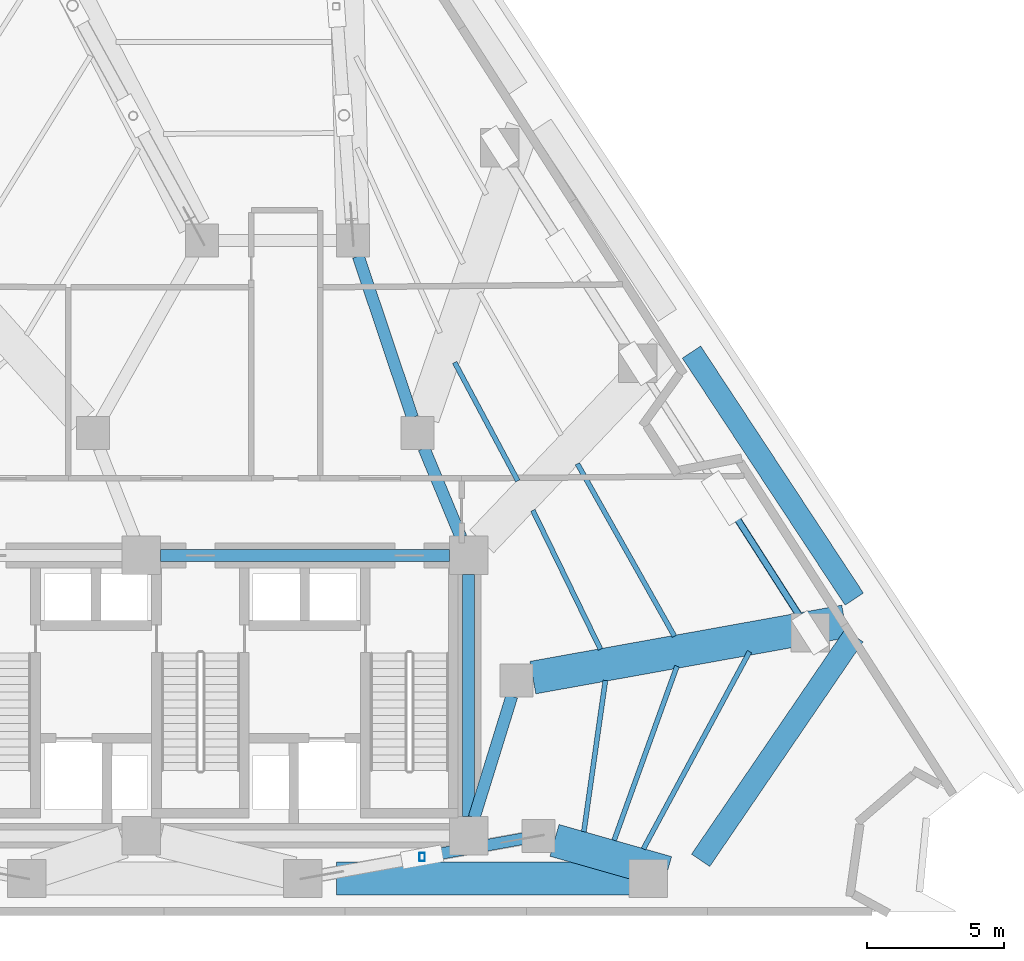
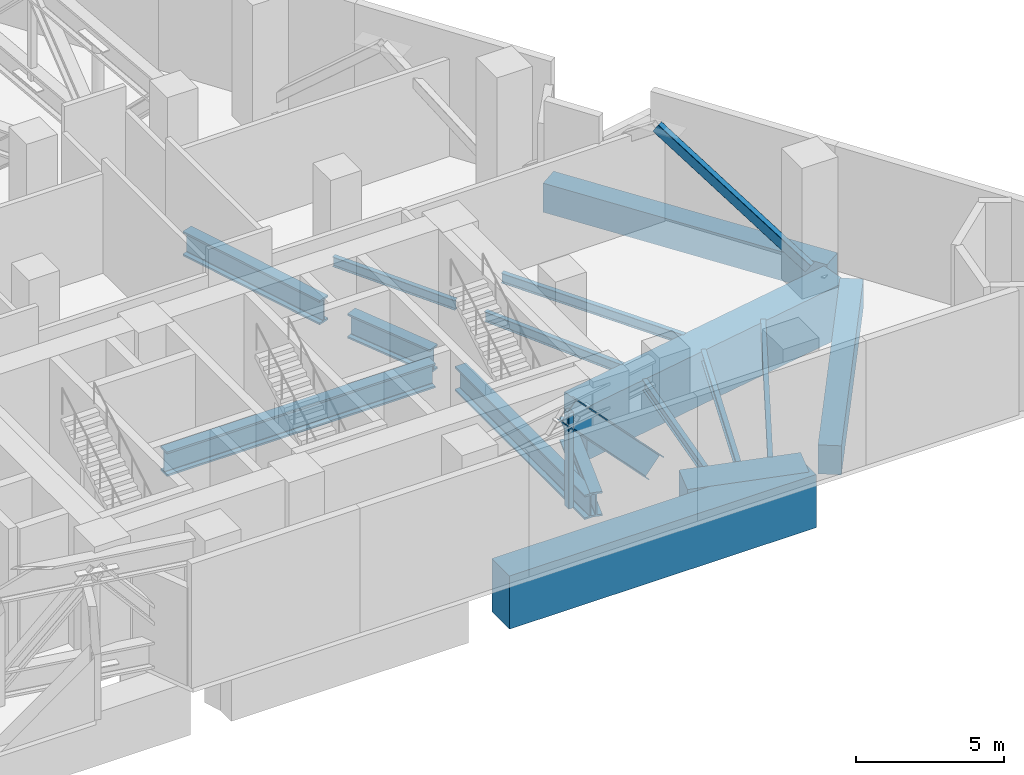
# One storey, part 4 of 12: 16 beams, 3 members.
"""IFC4 building model written with IfcOpenShell, lengths in metres."""

from ifc_helpers import new_model, si_unit, direction, frame, origin, origin_2d, place, context, subcontext, project, spatial, rectangle, hollow_rectangle, i_section, extrude, material, material_profile, profile_set, type_object, element, save


model = new_model("IFC4")

# Units and contexts
model_context = context("Model", 3, precision=1e-05, world=origin(), true_north=direction((0.0, 1.0)))
body_context = subcontext(model_context, "Body", "Model", "MODEL_VIEW")
ifc_project = project(units=[si_unit("LENGTHUNIT", "METRE"), si_unit("AREAUNIT", "SQUARE_METRE"), si_unit("VOLUMEUNIT", "CUBIC_METRE"), si_unit("PLANEANGLEUNIT", "RADIAN"), si_unit("MASSUNIT", "GRAM", prefix="KILO")], contexts=[model_context])

# Site, building, storey
site_placement = place(None, origin())
site = spatial("IfcSite", under=ifc_project, at=site_placement, CompositionType="ELEMENT")
building_placement = place(site_placement, origin())
building = spatial("IfcBuilding", under=site, at=building_placement, Name="Almagre Mirador Tower", CompositionType="ELEMENT")
storey_placement = place(building_placement, frame((0.0, 0.0, 26.39990234375)))
storey = spatial("IfcBuildingStorey", under=building, at=storey_placement, Name="L05", CompositionType="ELEMENT", Elevation=26.39990234375)

# Beams
ifc_material_1 = material(Name="Steel ASTM A992 Grade 50", Category="steel")
ifc_material_profile_1 = material_profile(ifc_material_1, i_section(OverallWidth=0.178955078125, OverallDepth=0.408935546875, WebThickness=0.0087890625, FlangeThickness=0.014404296875, FilletRadius=0.013916015625, at=origin_2d()), Name="W16X45")
ifc_profile_set_1 = profile_set([ifc_material_profile_1], Name="Steel ASTM A992 Grade 50")
beam_type_1 = type_object("IfcBeamType", Name="BM-JST-W16X45", PredefinedType="JOIST", material=ifc_profile_set_1)
beam_1_placement = place(storey_placement, frame((53.40869140625, 4.07421875, -0.50439453125), z_axis=(0.473974753874, 0.880538433398, 0.0), x_axis=(-0.880538433398, 0.473974753874, 0.0)))
element("IfcBeam", 1, at=beam_1_placement, inside=storey, type_object=beam_type_1, Name="L05 secondary floor joist PC04-PC05.1", PredefinedType="JOIST", context=body_context, shape_type="SweptSolid", body=[
    extrude(i_section(OverallWidth=0.178955078125, OverallDepth=0.408935546875, WebThickness=0.0087890625, FlangeThickness=0.014404296875, FilletRadius=0.013916015625, at=origin_2d()), origin(), (0.0, 0.0, 1.0), 8.148681640625),
])
beam_2_placement = place(storey_placement, frame((52.345458984375, 4.39013671875, -0.50439453125), z_axis=(0.339360176716, 0.940656510348, 0.0), x_axis=(-0.940656510348, 0.339360176716, 0.0)))
element("IfcBeam", 2, at=beam_2_placement, inside=storey, type_object=beam_type_1, Name="L05 secondary floor joist PC04-PC05.2", PredefinedType="JOIST", context=body_context, shape_type="SweptSolid", body=[
    extrude(i_section(OverallWidth=0.178955078125, OverallDepth=0.408935546875, WebThickness=0.0087890625, FlangeThickness=0.014404296875, FilletRadius=0.013916015625, at=origin_2d()), origin(), (0.0, 0.0, 1.0), 6.732177734375),
])
beam_3_placement = place(storey_placement, frame((51.243896484375, 4.69970703125, -0.50439453125), z_axis=(0.140984772815, 0.990011764493, 0.0), x_axis=(-0.990011764493, 0.140984772815, 0.0)))
element("IfcBeam", 3, at=beam_3_placement, inside=storey, type_object=beam_type_1, Name="L05 secondary floor joist PC04-PC05.3", PredefinedType="JOIST", context=body_context, shape_type="SweptSolid", body=[
    extrude(i_section(OverallWidth=0.178955078125, OverallDepth=0.408935546875, WebThickness=0.0087890625, FlangeThickness=0.014404296875, FilletRadius=0.013916015625, at=origin_2d()), origin(), (0.0, 0.0, 1.0), 5.55859375),
])
beam_4_placement = place(storey_placement, frame((54.53955078125, 11.810302734375, -0.50439453125), z_axis=(-0.49032244491, 0.871541106327, 0.0), x_axis=(-0.871541106327, -0.49032244491, 0.0)))
element("IfcBeam", 4, at=beam_4_placement, inside=storey, type_object=beam_type_1, Name="L05 secondary floor joist PC05-PC06.2", PredefinedType="JOIST", context=body_context, shape_type="SweptSolid", body=[
    extrude(i_section(OverallWidth=0.178955078125, OverallDepth=0.408935546875, WebThickness=0.0087890625, FlangeThickness=0.014404296875, FilletRadius=0.013916015625, at=origin_2d()), origin(), (0.0, 0.0, 1.0), 7.196533203125),
])
beam_5_placement = place(storey_placement, frame((51.849365234375, 11.336181640625, -0.50439453125), z_axis=(-0.437846162275, 0.899049908615, 0.0), x_axis=(-0.899049908615, -0.437846162275, 0.0)))
element("IfcBeam", 5, at=beam_5_placement, inside=storey, type_object=beam_type_1, Name="L05 secondary floor joist PC05-PC06.3", PredefinedType="JOIST", context=body_context, shape_type="SweptSolid", body=[
    extrude(i_section(OverallWidth=0.178955078125, OverallDepth=0.408935546875, WebThickness=0.0087890625, FlangeThickness=0.014404296875, FilletRadius=0.013916015625, at=origin_2d()), origin(), (0.0, 0.0, 1.0), 5.623291015625),
])
beam_6_placement = place(storey_placement, frame((48.84228515625, 17.460693359375, -0.50439453125), z_axis=(-0.470289676789, 0.882512107512, 0.0), x_axis=(-0.882512107512, -0.470289676789, 0.0)))
element("IfcBeam", 6, at=beam_6_placement, inside=storey, type_object=beam_type_1, Name="L05 secondary floor joist PC06-PC07.3", PredefinedType="JOIST", context=body_context, shape_type="SweptSolid", body=[
    extrude(i_section(OverallWidth=0.178955078125, OverallDepth=0.408935546875, WebThickness=0.0087890625, FlangeThickness=0.014404296875, FilletRadius=0.013916015625, at=origin_2d()), origin(), (0.0, 0.0, 1.0), 4.88134765625),
])
ifc_material_2 = material(Name="Precast concrete C50/60", Category="concrete")
ifc_material_profile_2 = material_profile(ifc_material_2, rectangle(XDim=0.800048828125, YDim=1.199951171875, at=origin_2d()), Name="RC800X1200")
ifc_profile_set_2 = profile_set([ifc_material_profile_2], Name="Precast concrete C50/60")
beam_type_2 = type_object("IfcBeamType", Name="BM-SPN-RC800X1200", PredefinedType="SPANDREL", material=ifc_profile_set_2)
beam_7_placement = place(storey_placement, frame((55.490966796875, 3.660888671875, -0.89990234375), z_axis=(0.563695189414, 0.825982889309, 0.0), x_axis=(-0.825982889309, 0.563695189414, 0.0)))
element("IfcBeam", 7, at=beam_7_placement, inside=storey, type_object=beam_type_2, Name="L05 perimeter spandrel beam PC04-PC05", PredefinedType="SPANDREL", context=body_context, shape_type="SweptSolid", body=[
    extrude(rectangle(XDim=0.800048828125, YDim=1.199951171875, at=origin_2d()), origin(), (0.0, 0.0, 1.0), 9.891845703125),
])
beam_8_placement = place(storey_placement, frame((61.077880859375, 13.159912109375, -0.89990234375), z_axis=(-0.550204417923, 0.835029998562, 0.0), x_axis=(-0.835029998562, -0.550204417923, 0.0)))
element("IfcBeam", 8, at=beam_8_placement, inside=storey, type_object=beam_type_2, Name="L05 perimeter spandrel beam PC05-PC06", PredefinedType="SPANDREL", context=body_context, shape_type="SweptSolid", body=[
    extrude(rectangle(XDim=0.800048828125, YDim=1.199951171875, at=origin_2d()), origin(), (0.0, 0.0, 1.0), 10.759033203125),
])
ifc_material_3 = material(Name="Steel ASTM A992 Grade 50", Category="steel")
ifc_material_profile_3 = material_profile(ifc_material_3, i_section(OverallWidth=0.43701171875, OverallDepth=1.010986328125, WebThickness=0.041015625, FlangeThickness=0.073974609375, FilletRadius=0.028076171875, at=origin_2d()), Name="W36X529")
ifc_profile_set_3 = profile_set([ifc_material_profile_3], Name="Steel ASTM A992 Grade 50")
beam_type_3 = type_object("IfcBeamType", Name="BM-STL-W36X529", PredefinedType="BEAM", material=ifc_profile_set_3)
beam_9_placement = place(storey_placement, frame((35.85009765625, 14.75, -0.805419921875), z_axis=(1.0, 0.0, 0.0), x_axis=(0.0, 1.0, 0.0)))
element("IfcBeam", 9, at=beam_9_placement, inside=storey, type_object=beam_type_3, Name="L05 core tie girder CC5-CC6", PredefinedType="BEAM", context=body_context, shape_type="SweptSolid", body=[
    extrude(i_section(OverallWidth=0.43701171875, OverallDepth=1.010986328125, WebThickness=0.041015625, FlangeThickness=0.073974609375, FilletRadius=0.028076171875, at=origin_2d()), origin(), (0.0, 0.0, 1.0), 10.5),
])
beam_10_placement = place(storey_placement, frame((47.050048828125, 5.25, -0.805419921875), z_axis=(0.0, 1.0, 0.0), x_axis=(-1.0, 0.0, 0.0)))
element("IfcBeam", 10, at=beam_10_placement, inside=storey, type_object=beam_type_3, Name="L05 core tie girder CC3-CC6", PredefinedType="BEAM", context=body_context, shape_type="SweptSolid", body=[
    extrude(i_section(OverallWidth=0.43701171875, OverallDepth=1.010986328125, WebThickness=0.041015625, FlangeThickness=0.073974609375, FilletRadius=0.028076171875, at=origin_2d()), origin(), (0.0, 0.0, 1.0), 8.800048828125),
])
beam_11_placement = place(storey_placement, frame((48.62255859375, 9.626953125, -0.805419921875), z_axis=(-0.295888328273, -0.955222538046, 0.0), x_axis=(0.955222538046, -0.295888328273, 0.0)))
element("IfcBeam", 11, at=beam_11_placement, inside=storey, type_object=beam_type_3, Name="L05 core tie girder MC3-CC3", PredefinedType="BEAM", context=body_context, shape_type="SweptSolid", body=[
    extrude(i_section(OverallWidth=0.43701171875, OverallDepth=1.010986328125, WebThickness=0.041015625, FlangeThickness=0.073974609375, FilletRadius=0.028076171875, at=origin_2d()), origin(), (0.0, 0.0, 1.0), 4.61474609375),
])
beam_12_placement = place(storey_placement, frame((45.430419921875, 18.64599609375, -0.805419921875), z_axis=(0.383856635851, -0.923392702545, 0.0), x_axis=(0.923392702545, 0.383856635851, 0.0)))
element("IfcBeam", 12, at=beam_12_placement, inside=storey, type_object=beam_type_3, Name="L05 core tie girder MC5-CC6", PredefinedType="BEAM", context=body_context, shape_type="SweptSolid", body=[
    extrude(i_section(OverallWidth=0.43701171875, OverallDepth=1.010986328125, WebThickness=0.041015625, FlangeThickness=0.073974609375, FilletRadius=0.028076171875, at=origin_2d()), origin(), (0.0, 0.0, 1.0), 3.51904296875),
])
beam_13_placement = place(storey_placement, frame((43.041015625, 25.631103515625, -0.805419921875), z_axis=(0.318252395552, -0.948006019351, 0.0), x_axis=(0.948006019351, 0.318252395552, 0.0)))
element("IfcBeam", 13, at=beam_13_placement, inside=storey, type_object=beam_type_3, Name="L05 core tie girder MC6-MC5", PredefinedType="BEAM", context=body_context, shape_type="SweptSolid", body=[
    extrude(i_section(OverallWidth=0.43701171875, OverallDepth=1.010986328125, WebThickness=0.041015625, FlangeThickness=0.073974609375, FilletRadius=0.028076171875, at=origin_2d()), origin(), (0.0, 0.0, 1.0), 6.183837890625),
])
ifc_material_4 = material(Name="Concrete C60/75", Category="concrete")
ifc_material_profile_4 = material_profile(ifc_material_4, rectangle(XDim=1.199951171875, YDim=2.199951171875, at=origin_2d()), Name="RC1200X2200")
ifc_profile_set_4 = profile_set([ifc_material_profile_4], Name="Concrete C60/75")
beam_type_4 = type_object("IfcBeamType", Name="BM-XFER-RC1200X2200", PredefinedType="BEAM", material=ifc_profile_set_4)
beam_14_placement = place(storey_placement, frame((42.239990234375, 3.0, -1.39990234375), z_axis=(1.0, 0.0, 0.0), x_axis=(0.0, 1.0, 0.0)))
element("IfcBeam", 14, at=beam_14_placement, inside=storey, type_object=beam_type_4, Name="L05 perimeter spandrel beam PC03-PC04", PredefinedType="BEAM", context=body_context, shape_type="SweptSolid", body=[
    extrude(rectangle(XDim=1.199951171875, YDim=2.199951171875, at=origin_2d()), origin(), (0.0, 0.0, 1.0), 12.0),
])
beam_15_placement = place(storey_placement, frame((54.2705078125, 3.21923828125, -1.39990234375), z_axis=(-0.961729302972, 0.274001364603, 0.0), x_axis=(-0.274001364603, -0.961729302972, 0.0)))
element("IfcBeam", 15, at=beam_15_placement, inside=storey, type_object=beam_type_4, Name="L05 radial transfer girder PC04-MC2", PredefinedType="BEAM", context=body_context, shape_type="SweptSolid", body=[
    extrude(rectangle(XDim=1.199951171875, YDim=2.199951171875, at=origin_2d()), origin(), (0.0, 0.0, 1.0), 4.25634765625),
])
beam_16_placement = place(storey_placement, frame((60.730712890625, 12.35009765625, -1.39990234375), z_axis=(-0.984146362442, -0.177358217438, 0.0), x_axis=(0.177358217438, -0.984146362442, 0.0)))
element("IfcBeam", 16, at=beam_16_placement, inside=storey, type_object=beam_type_4, Name="L05 radial transfer girder PC05-MC3", PredefinedType="BEAM", context=body_context, shape_type="SweptSolid", body=[
    extrude(rectangle(XDim=1.199951171875, YDim=2.199951171875, at=origin_2d()), origin(), (0.0, 0.0, 1.0), 11.52294921875),
])

# Members
ifc_material_5 = material(Name="Steel ASTM A500 Grade C", Category="steel")
ifc_material_profile_5 = material_profile(ifc_material_5, hollow_rectangle(XDim=0.25, YDim=0.39990234375, WallThickness=0.012451171875, InnerFilletRadius=0.012451171875, OuterFilletRadius=0.02490234375, at=origin_2d()), Name="HSS400X250X12.5")
ifc_profile_set_5 = profile_set([ifc_material_profile_5], Name="Steel ASTM A500 Grade C")
member_type_1 = type_object("IfcMemberType", Name="MBR-BRC-HSS400R", PredefinedType="BRACE", material=ifc_profile_set_5)
member_1_placement = place(storey_placement, frame((59.48193359375, 11.93310546875, 0.650146484375), z_axis=(-0.446184852698, 0.696285669361, 0.562232464258), x_axis=(-0.841962699154, -0.539535738606, 0.0)))
element("IfcMember", 17, at=member_1_placement, inside=storey, type_object=member_type_1, Name="L05 perimeter belt truss brace PC05-apex", PredefinedType="BRACE", context=body_context, shape_type="SweptSolid", body=[
    extrude(hollow_rectangle(XDim=0.25, YDim=0.39990234375, WallThickness=0.012451171875, InnerFilletRadius=0.012451171875, OuterFilletRadius=0.02490234375, at=origin_2d()), origin(), (0.0, 0.0, 1.0), 7.037109375),
])
ifc_material_6 = material(Name="Steel ASTM A913 Grade 65", Category="steel")
ifc_material_profile_6 = material_profile(ifc_material_6, i_section(OverallWidth=0.423095703125, OverallDepth=0.947998046875, WebThickness=0.02392578125, FlangeThickness=0.042724609375, FilletRadius=0.028076171875, at=origin_2d()), Name="W36X302")
ifc_profile_set_6 = profile_set([ifc_material_profile_6], Name="Steel ASTM A913 Grade 65")
member_type_2 = type_object("IfcMemberType", Name="MBR-BRC-W36X302", PredefinedType="BRACE", material=ifc_profile_set_6)
member_2_placement = place(storey_placement, frame((45.361083984375, 3.783935546875, 4.606689453125), z_axis=(0.672871297489, 0.12161572367, -0.729694342017), x_axis=(-0.17785966821, 0.984055861435, 0.0)))
element("IfcMember", 18, at=member_2_placement, inside=storey, type_object=member_type_2, Name="L05 outrigger truss 2 diagonal 2", PredefinedType="BRACE", context=body_context, shape_type="SweptSolid", body=[
    extrude(i_section(OverallWidth=0.423095703125, OverallDepth=0.947998046875, WebThickness=0.02392578125, FlangeThickness=0.042724609375, FilletRadius=0.028076171875, at=origin_2d()), origin(), (0.0, 0.0, 1.0), 5.422119140625),
])
ifc_material_7 = material(Name="Steel ASTM A500 Grade C", Category="steel")
ifc_material_profile_7 = material_profile(ifc_material_7, hollow_rectangle(XDim=0.199951171875, YDim=0.300048828125, WallThickness=0.010009765625, InnerFilletRadius=0.010009765625, OuterFilletRadius=0.02001953125, at=origin_2d()), Name="HSS300X200X10")
ifc_profile_set_7 = profile_set([ifc_material_profile_7], Name="Steel ASTM A500 Grade C")
member_type_3 = type_object("IfcMemberType", Name="MBR-STR-HSS300", PredefinedType="STRUT", material=ifc_profile_set_7)
member_3_placement = place(storey_placement, frame((45.361083984375, 3.783935546875, 0.650146484375), z_axis=(0.0, 0.0, 1.0), x_axis=(1.0, 0.0, 0.0)))
element("IfcMember", 19, at=member_3_placement, inside=storey, type_object=member_type_3, Name="L05 outrigger vertical post strut 2.1", PredefinedType="STRUT", context=body_context, shape_type="SweptSolid", body=[
    extrude(hollow_rectangle(XDim=0.199951171875, YDim=0.300048828125, WallThickness=0.010009765625, InnerFilletRadius=0.010009765625, OuterFilletRadius=0.02001953125, at=origin_2d()), origin(), (0.0, 0.0, 1.0), 3.95654296875),
])

save(model, "model.ifc")
